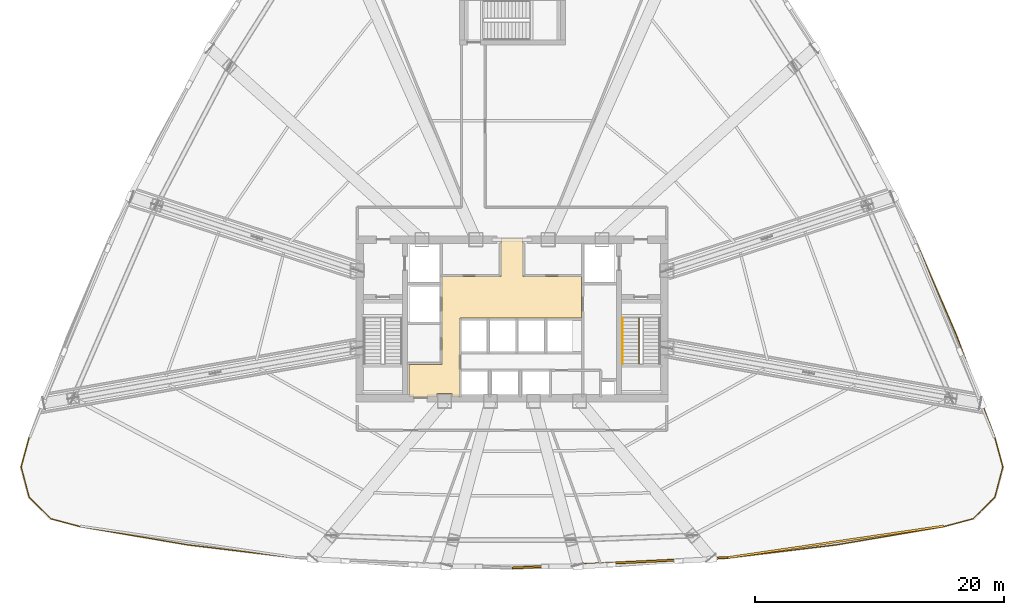
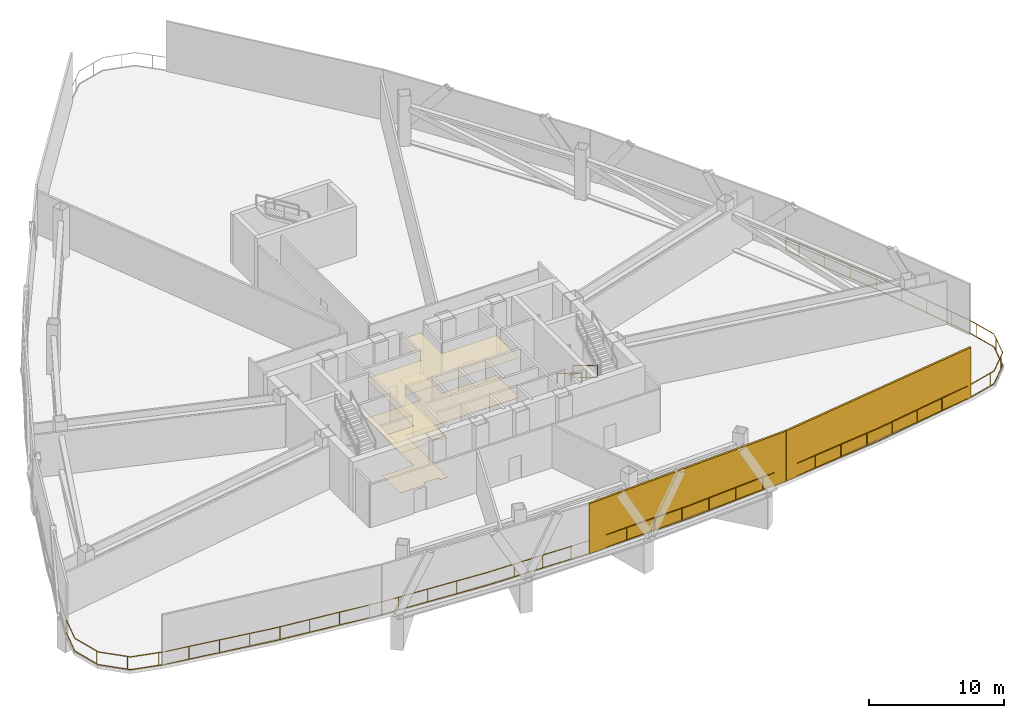
# One storey, part 13 of 17: 3 railings, 2 coverings, 2 shading devices.
"""IFC4 building model written with IfcOpenShell, lengths in metres."""

from ifc_helpers import new_model, si_unit, direction, frame, origin, origin_2d, place, context, subcontext, project, spatial, polyline, rectangle, outline, extrude, source, transform, mapped, material, layer, layer_set, type_object, element, save


model = new_model("IFC4")

# Units and contexts
model_context = context("Model", 3, precision=1e-05, world=origin(), true_north=direction((0.0, 1.0)))
body_context = subcontext(model_context, "Body", "Model", "MODEL_VIEW")
ifc_project = project(units=[si_unit("LENGTHUNIT", "METRE"), si_unit("AREAUNIT", "SQUARE_METRE"), si_unit("VOLUMEUNIT", "CUBIC_METRE"), si_unit("PLANEANGLEUNIT", "RADIAN"), si_unit("MASSUNIT", "GRAM", prefix="KILO"), si_unit("THERMODYNAMICTEMPERATUREUNIT", "KELVIN"), si_unit("POWERUNIT", "WATT")], contexts=[model_context])

# Site, building, storey
site_placement = place(None, origin())
site = spatial("IfcSite", under=ifc_project, at=site_placement, CompositionType="ELEMENT")
building_placement = place(site_placement, origin())
building = spatial("IfcBuilding", under=site, at=building_placement, Name="Yunzhuo Pagoda Commons", CompositionType="ELEMENT")
storey_placement = place(building_placement, frame((0.0, 0.0, 176.159912109375)))
storey = spatial("IfcBuildingStorey", under=building, at=storey_placement, Name="L44", CompositionType="ELEMENT", Elevation=176.159912109375)

# Coverings
ifc_material_1 = material(Name="Perforated gypsum acoustic ceiling tile")
ifc_layer_1 = layer(ifc_material_1, 0.030029296875)
ifc_layer_set_1 = layer_set([ifc_layer_1], Name="Perforated gypsum acoustic ceiling tile")
covering_type_1 = type_object("IfcCoveringType", Name="COV-CL2 Ceiling 30", PredefinedType="CEILING", material=ifc_layer_set_1)
covering_1_placement = place(storey_placement, frame((0.0, 0.0, 3.590087890625)))
element("IfcCovering", 1, at=covering_1_placement, inside=storey, type_object=covering_type_1, Name="L44 lift lobby acoustic ceiling", PredefinedType="CEILING", context=body_context, shape_type="SweptSolid", body=[
    extrude(outline(polyline([(39.75, 30.199951171875), (42.39990234375, 30.199951171875), (42.39990234375, 33.89990234375), (42.39990234375, 37.25), (47.10009765625, 37.25), (47.10009765625, 40.35009765625), (48.89990234375, 40.35009765625), (48.89990234375, 37.25), (53.580078125, 37.25), (53.580078125, 33.89990234375), (43.820068359375, 33.89990234375), (43.820068359375, 30.199951171875), (43.820068359375, 27.60009765625), (43.207763671875, 27.60009765625), (43.207763671875, 27.85009765625), (43.201904296875, 27.864013671875), (43.187744140625, 27.8701171875), (41.98779296875, 27.8701171875), (41.9736328125, 27.864013671875), (41.9677734375, 27.85009765625), (41.9677734375, 27.60009765625), (39.75, 27.60009765625), (39.75, 30.199951171875)])), origin(), (0.0, 0.0, 1.0), 0.030029296875),
])
ifc_material_2 = material(Name="Porcelain ceramic floor tile")
ifc_layer_2 = layer(ifc_material_2, 0.02001953125)
ifc_layer_set_2 = layer_set([ifc_layer_2], Name="Porcelain ceramic floor tile")
covering_type_2 = type_object("IfcCoveringType", Name="COV-FL1 Flooring 20", PredefinedType="FLOORING", material=ifc_layer_set_2)
covering_2_placement = place(storey_placement, origin())
element("IfcCovering", 2, at=covering_2_placement, inside=storey, type_object=covering_type_2, Name="L44 lift lobby flooring", PredefinedType="FLOORING", context=body_context, shape_type="SweptSolid", body=[
    extrude(outline(polyline([(39.75, 30.199951171875), (42.39990234375, 30.199951171875), (42.39990234375, 33.89990234375), (42.39990234375, 37.25), (47.10009765625, 37.25), (47.10009765625, 40.35009765625), (48.89990234375, 40.35009765625), (48.89990234375, 37.25), (53.580078125, 37.25), (53.580078125, 33.89990234375), (43.820068359375, 33.89990234375), (43.820068359375, 30.199951171875), (43.820068359375, 27.60009765625), (43.207763671875, 27.60009765625), (43.207763671875, 27.85009765625), (43.201904296875, 27.864013671875), (43.187744140625, 27.8701171875), (41.98779296875, 27.8701171875), (41.9736328125, 27.864013671875), (41.9677734375, 27.85009765625), (41.9677734375, 27.60009765625), (39.75, 27.60009765625), (39.75, 30.199951171875)])), origin(), (0.0, 0.0, 1.0), 0.02001953125),
])

# Railings
ifc_material_3 = material(Name="Anodized aluminium 6063-T6", Category="aluminium")
railing_type_1 = type_object("IfcRailingType", Name="GR-ST2 Stair Well Guardrail 1160", PredefinedType="GUARDRAIL", material=ifc_material_3)
railing_1_placement = place(storey_placement, frame((58.199951171875, 33.89990234375, 0.171630859375)))
element("IfcRailing", 3, at=railing_1_placement, inside=storey, type_object=railing_type_1, Name="L44 ST2 stair guard 1", PredefinedType="GUARDRAIL", context=body_context, shape_type="SweptSolid", body=[
    extrude(rectangle(XDim=0.048095703125, YDim=0.048095703125, at=origin_2d()), frame((0.0, 0.0, 1.1259765625), z_axis=(0.0, -0.852850264322, 0.5221555579), x_axis=(1.0, 0.0, 0.0)), (0.0, 0.0, 1.0), 4.267822265625),
    extrude(rectangle(XDim=0.048095703125, YDim=0.048095703125, at=origin_2d()), frame((0.0, 0.0, 0.02392578125), z_axis=(0.0, -0.852850264322, 0.5221555579), x_axis=(1.0, 0.0, 0.0)), (0.0, 0.0, 1.0), 4.267822265625),
    extrude(rectangle(XDim=0.0419921875, YDim=0.0419921875, at=origin_2d()), origin(), (0.0, 0.0, 1.0), 1.101806640625),
    extrude(rectangle(XDim=0.0419921875, YDim=0.0419921875, at=origin_2d()), frame((0.0, -2.046875, 1.253173828125)), (0.0, 0.0, 1.0), 1.101806640625),
    extrude(rectangle(XDim=0.0419921875, YDim=0.0419921875, at=origin_2d()), frame((0.0, -3.639892578125, 2.228515625)), (0.0, 0.0, 1.0), 1.101806640625),
])
railing_type_2 = type_object("IfcRailingType", Name="HR-ST2 Stair Handrail 900", PredefinedType="HANDRAIL", material=ifc_material_3)
railing_2_placement = place(storey_placement, frame((56.85009765625, 33.89990234375, 0.171630859375)))
element("IfcRailing", 4, at=railing_2_placement, inside=storey, type_object=railing_type_2, Name="L44 ST2 stair handrail 1", PredefinedType="HANDRAIL", context=body_context, shape_type="SweptSolid", body=[
    extrude(rectangle(XDim=0.048095703125, YDim=0.048095703125, at=origin_2d()), frame((0.0, 0.0, 0.8759765625), z_axis=(0.0, -0.852850264322, 0.5221555579), x_axis=(1.0, 0.0, 0.0)), (0.0, 0.0, 1.0), 4.267822265625),
    extrude(rectangle(XDim=0.0419921875, YDim=0.0419921875, at=origin_2d()), origin(), (0.0, 0.0, 1.0), 0.851806640625),
    extrude(rectangle(XDim=0.0419921875, YDim=0.0419921875, at=origin_2d()), frame((0.0, -2.046875, 1.253173828125)), (0.0, 0.0, 1.0), 0.851806640625),
    extrude(rectangle(XDim=0.0419921875, YDim=0.0419921875, at=origin_2d()), frame((0.0, -3.639892578125, 2.228515625)), (0.0, 0.0, 1.0), 0.851806640625),
])
railing_type_3 = type_object("IfcRailingType", Name="RL-PRT1 Wind Portal & Refuge Guardrail 1200", PredefinedType="GUARDRAIL", material=ifc_material_3)
railing_3_placement = place(storey_placement, frame((9.28662109375, 24.3701171875, 0.0)))
element("IfcRailing", 5, at=railing_3_placement, inside=storey, type_object=railing_type_3, Name="L44 refuge perimeter guardrail A", PredefinedType="GUARDRAIL", context=body_context, shape_type="SweptSolid", body=[
    extrude(rectangle(XDim=0.048095703125, YDim=0.048095703125, at=origin_2d()), frame((0.0, 0.0, 1.17578125), z_axis=(-0.263915754409, -0.964545734828, 0.0), x_axis=(0.964545734828, -0.263915754409, 0.0)), (0.0, 0.0, 1.0), 2.48388671875),
    extrude(rectangle(XDim=0.048095703125, YDim=0.048095703125, at=origin_2d()), frame((0.0, 0.0, 0.02392578125), z_axis=(-0.263915754409, -0.964545734828, 0.0), x_axis=(0.964545734828, -0.263915754409, 0.0)), (0.0, 0.0, 1.0), 2.48388671875),
    extrude(rectangle(XDim=0.048095703125, YDim=0.048095703125, at=origin_2d()), frame((-0.655517578125, -2.395751953125, 1.17578125), z_axis=(0.255359894148, -0.966846070717, 0.0), x_axis=(0.966846070717, 0.255359894148, 0.0)), (0.0, 0.0, 1.0), 2.48193359375),
    extrude(rectangle(XDim=0.048095703125, YDim=0.048095703125, at=origin_2d()), frame((-0.655517578125, -2.395751953125, 0.02392578125), z_axis=(0.255359894148, -0.966846070717, 0.0), x_axis=(0.966846070717, 0.255359894148, 0.0)), (0.0, 0.0, 1.0), 2.48193359375),
    extrude(rectangle(XDim=0.048095703125, YDim=0.048095703125, at=origin_2d()), frame((-0.021728515625, -4.79541015625, 1.17578125), z_axis=(0.706220868533, -0.707991585295, 0.0), x_axis=(0.707991585295, 0.706220868533, 0.0)), (0.0, 0.0, 1.0), 2.481689453125),
    extrude(rectangle(XDim=0.048095703125, YDim=0.048095703125, at=origin_2d()), frame((-0.021728515625, -4.79541015625, 0.02392578125), z_axis=(0.706220868533, -0.707991585295, 0.0), x_axis=(0.707991585295, 0.706220868533, 0.0)), (0.0, 0.0, 1.0), 2.481689453125),
    extrude(rectangle(XDim=0.048095703125, YDim=0.048095703125, at=origin_2d()), frame((1.73095703125, -6.552490234375, 1.17578125), z_axis=(0.966065072538, -0.258298810726, 0.0), x_axis=(0.258298810726, 0.966065072538, 0.0)), (0.0, 0.0, 1.0), 2.48388671875),
    extrude(rectangle(XDim=0.048095703125, YDim=0.048095703125, at=origin_2d()), frame((1.73095703125, -6.552490234375, 0.02392578125), z_axis=(0.966065072538, -0.258298810726, 0.0), x_axis=(0.258298810726, 0.966065072538, 0.0)), (0.0, 0.0, 1.0), 2.48388671875),
    extrude(rectangle(XDim=0.048095703125, YDim=0.048095703125, at=origin_2d()), frame((4.130615234375, -7.194091796875, 1.17578125), z_axis=(0.986010928272, -0.166680680727, 0.0), x_axis=(0.166680680727, 0.986010928272, 0.0)), (0.0, 0.0, 1.0), 8.778076171875),
    extrude(rectangle(XDim=0.048095703125, YDim=0.048095703125, at=origin_2d()), frame((4.130615234375, -7.194091796875, 0.02392578125), z_axis=(0.986010928272, -0.166680680727, 0.0), x_axis=(0.166680680727, 0.986010928272, 0.0)), (0.0, 0.0, 1.0), 8.778076171875),
    extrude(rectangle(XDim=0.048095703125, YDim=0.048095703125, at=origin_2d()), frame((12.785888671875, -8.6572265625, 1.17578125), z_axis=(0.992841121805, -0.119442483449, 0.0), x_axis=(0.119442483449, 0.992841121805, 0.0)), (0.0, 0.0, 1.0), 8.71142578125),
    extrude(rectangle(XDim=0.048095703125, YDim=0.048095703125, at=origin_2d()), frame((12.785888671875, -8.6572265625, 0.02392578125), z_axis=(0.992841121805, -0.119442483449, 0.0), x_axis=(0.119442483449, 0.992841121805, 0.0)), (0.0, 0.0, 1.0), 8.71142578125),
    extrude(rectangle(XDim=0.048095703125, YDim=0.048095703125, at=origin_2d()), frame((21.43505859375, -9.69775390625, 1.17578125), z_axis=(0.997423392208, -0.071739645081, 0.0), x_axis=(0.071739645081, 0.997423392208, 0.0)), (0.0, 0.0, 1.0), 8.664306640625),
    extrude(rectangle(XDim=0.048095703125, YDim=0.048095703125, at=origin_2d()), frame((21.43505859375, -9.69775390625, 0.02392578125), z_axis=(0.997423392208, -0.071739645081, 0.0), x_axis=(0.071739645081, 0.997423392208, 0.0)), (0.0, 0.0, 1.0), 8.664306640625),
    extrude(rectangle(XDim=0.048095703125, YDim=0.048095703125, at=origin_2d()), frame((30.0771484375, -10.3193359375, 1.17578125), z_axis=(0.999714813301, -0.023880788637, 0.0), x_axis=(0.023880788637, 0.999714813301, 0.0)), (0.0, 0.0, 1.0), 8.638671875),
    extrude(rectangle(XDim=0.048095703125, YDim=0.048095703125, at=origin_2d()), frame((30.0771484375, -10.3193359375, 0.02392578125), z_axis=(0.999714813301, -0.023880788637, 0.0), x_axis=(0.023880788637, 0.999714813301, 0.0)), (0.0, 0.0, 1.0), 8.638671875),
    extrude(rectangle(XDim=0.048095703125, YDim=0.048095703125, at=origin_2d()), frame((38.71337890625, -10.525634765625, 1.17578125), z_axis=(0.999714813301, 0.023880788637, 0.0), x_axis=(-0.023880788637, 0.999714813301, 0.0)), (0.0, 0.0, 1.0), 8.638671875),
    extrude(rectangle(XDim=0.048095703125, YDim=0.048095703125, at=origin_2d()), frame((38.71337890625, -10.525634765625, 0.02392578125), z_axis=(0.999714813301, 0.023880788637, 0.0), x_axis=(-0.023880788637, 0.999714813301, 0.0)), (0.0, 0.0, 1.0), 8.638671875),
    extrude(rectangle(XDim=0.048095703125, YDim=0.048095703125, at=origin_2d()), frame((47.349609375, -10.3193359375, 1.17578125), z_axis=(0.997423392208, 0.071739645081, 0.0), x_axis=(-0.071739645081, 0.997423392208, 0.0)), (0.0, 0.0, 1.0), 8.664306640625),
    extrude(rectangle(XDim=0.048095703125, YDim=0.048095703125, at=origin_2d()), frame((47.349609375, -10.3193359375, 0.02392578125), z_axis=(0.997423392208, 0.071739645081, 0.0), x_axis=(-0.071739645081, 0.997423392208, 0.0)), (0.0, 0.0, 1.0), 8.664306640625),
    extrude(rectangle(XDim=0.048095703125, YDim=0.048095703125, at=origin_2d()), frame((55.99169921875, -9.69775390625, 1.17578125), z_axis=(0.992841121805, 0.119442483449, 0.0), x_axis=(-0.119442483449, 0.992841121805, 0.0)), (0.0, 0.0, 1.0), 8.71142578125),
    extrude(rectangle(XDim=0.048095703125, YDim=0.048095703125, at=origin_2d()), frame((55.99169921875, -9.69775390625, 0.02392578125), z_axis=(0.992841121805, 0.119442483449, 0.0), x_axis=(-0.119442483449, 0.992841121805, 0.0)), (0.0, 0.0, 1.0), 8.71142578125),
    extrude(rectangle(XDim=0.048095703125, YDim=0.048095703125, at=origin_2d()), frame((64.640869140625, -8.6572265625, 1.17578125), z_axis=(0.986010928272, 0.166680680727, 0.0), x_axis=(-0.166680680727, 0.986010928272, 0.0)), (0.0, 0.0, 1.0), 8.778076171875),
    extrude(rectangle(XDim=0.048095703125, YDim=0.048095703125, at=origin_2d()), frame((64.640869140625, -8.6572265625, 0.02392578125), z_axis=(0.986010928272, 0.166680680727, 0.0), x_axis=(-0.166680680727, 0.986010928272, 0.0)), (0.0, 0.0, 1.0), 8.778076171875),
    extrude(rectangle(XDim=0.048095703125, YDim=0.048095703125, at=origin_2d()), frame((73.296142578125, -7.194091796875, 1.17578125), z_axis=(0.966065072538, 0.258298810726, 0.0), x_axis=(-0.258298810726, 0.966065072538, 0.0)), (0.0, 0.0, 1.0), 2.48388671875),
    extrude(rectangle(XDim=0.048095703125, YDim=0.048095703125, at=origin_2d()), frame((73.296142578125, -7.194091796875, 0.02392578125), z_axis=(0.966065072538, 0.258298810726, 0.0), x_axis=(-0.258298810726, 0.966065072538, 0.0)), (0.0, 0.0, 1.0), 2.48388671875),
    extrude(rectangle(XDim=0.048095703125, YDim=0.048095703125, at=origin_2d()), frame((75.69580078125, -6.552490234375, 1.17578125), z_axis=(0.706220868533, 0.707991585295, 0.0), x_axis=(-0.707991585295, 0.706220868533, 0.0)), (0.0, 0.0, 1.0), 2.481689453125),
    extrude(rectangle(XDim=0.048095703125, YDim=0.048095703125, at=origin_2d()), frame((75.69580078125, -6.552490234375, 0.02392578125), z_axis=(0.706220868533, 0.707991585295, 0.0), x_axis=(-0.707991585295, 0.706220868533, 0.0)), (0.0, 0.0, 1.0), 2.481689453125),
    extrude(rectangle(XDim=0.048095703125, YDim=0.048095703125, at=origin_2d()), frame((77.448486328125, -4.79541015625, 1.17578125), z_axis=(0.255359894148, 0.966846070717, 0.0), x_axis=(-0.966846070717, 0.255359894148, 0.0)), (0.0, 0.0, 1.0), 2.48193359375),
    extrude(rectangle(XDim=0.048095703125, YDim=0.048095703125, at=origin_2d()), frame((77.448486328125, -4.79541015625, 0.02392578125), z_axis=(0.255359894148, 0.966846070717, 0.0), x_axis=(-0.966846070717, 0.255359894148, 0.0)), (0.0, 0.0, 1.0), 2.48193359375),
    extrude(rectangle(XDim=0.048095703125, YDim=0.048095703125, at=origin_2d()), frame((78.082275390625, -2.395751953125, 1.17578125), z_axis=(-0.263915754409, 0.964545734828, 0.0), x_axis=(-0.964545734828, -0.263915754409, 0.0)), (0.0, 0.0, 1.0), 2.48388671875),
    extrude(rectangle(XDim=0.048095703125, YDim=0.048095703125, at=origin_2d()), frame((78.082275390625, -2.395751953125, 0.02392578125), z_axis=(-0.263915754409, 0.964545734828, 0.0), x_axis=(-0.964545734828, -0.263915754409, 0.0)), (0.0, 0.0, 1.0), 2.48388671875),
    extrude(rectangle(XDim=0.048095703125, YDim=0.048095703125, at=origin_2d()), frame((77.4267578125, 0.0, 1.17578125), z_axis=(-0.351857658601, 0.936053517746, 0.0), x_axis=(-0.936053517746, -0.351857658601, 0.0)), (0.0, 0.0, 1.0), 8.7080078125),
    extrude(rectangle(XDim=0.048095703125, YDim=0.048095703125, at=origin_2d()), frame((77.4267578125, 0.0, 0.02392578125), z_axis=(-0.351857658601, 0.936053517746, 0.0), x_axis=(-0.936053517746, -0.351857658601, 0.0)), (0.0, 0.0, 1.0), 8.7080078125),
    extrude(rectangle(XDim=0.048095703125, YDim=0.048095703125, at=origin_2d()), frame((74.36279296875, 8.151123046875, 1.17578125), z_axis=(-0.396413827287, 0.918071934837, 0.0), x_axis=(-0.918071934837, -0.396413827287, 0.0)), (0.0, 0.0, 1.0), 8.641357421875),
    extrude(rectangle(XDim=0.048095703125, YDim=0.048095703125, at=origin_2d()), frame((74.36279296875, 8.151123046875, 0.02392578125), z_axis=(-0.396413827287, 0.918071934837, 0.0), x_axis=(-0.918071934837, -0.396413827287, 0.0)), (0.0, 0.0, 1.0), 8.641357421875),
    extrude(rectangle(XDim=0.0419921875, YDim=0.0419921875, at=origin_2d()), origin(), (0.0, 0.0, 1.0), 1.15185546875),
    extrude(rectangle(XDim=0.0419921875, YDim=0.0419921875, at=origin_2d()), frame((-0.06396484375, -4.63525390625, 0.0)), (0.0, 0.0, 1.0), 1.15185546875),
    extrude(rectangle(XDim=0.0419921875, YDim=0.0419921875, at=origin_2d()), frame((1.55615234375, -6.377197265625, 0.0)), (0.0, 0.0, 1.0), 1.15185546875),
    extrude(rectangle(XDim=0.0419921875, YDim=0.0419921875, at=origin_2d()), frame((3.810302734375, -7.1083984375, 0.0)), (0.0, 0.0, 1.0), 1.15185546875),
    extrude(rectangle(XDim=0.0419921875, YDim=0.0419921875, at=origin_2d()), frame((6.170166015625, -7.538818359375, 0.0)), (0.0, 0.0, 1.0), 1.15185546875),
    extrude(rectangle(XDim=0.0419921875, YDim=0.0419921875, at=origin_2d()), frame((8.53662109375, -7.93896484375, 0.0)), (0.0, 0.0, 1.0), 1.15185546875),
    extrude(rectangle(XDim=0.0419921875, YDim=0.0419921875, at=origin_2d()), frame((10.903076171875, -8.3388671875, 0.0)), (0.0, 0.0, 1.0), 1.15185546875),
    extrude(rectangle(XDim=0.0419921875, YDim=0.0419921875, at=origin_2d()), frame((13.272705078125, -8.7158203125, 0.0)), (0.0, 0.0, 1.0), 1.15185546875),
    extrude(rectangle(XDim=0.0419921875, YDim=0.0419921875, at=origin_2d()), frame((15.655517578125, -9.00244140625, 0.0)), (0.0, 0.0, 1.0), 1.15185546875),
    extrude(rectangle(XDim=0.0419921875, YDim=0.0419921875, at=origin_2d()), frame((18.03857421875, -9.2890625, 0.0)), (0.0, 0.0, 1.0), 1.15185546875),
    extrude(rectangle(XDim=0.0419921875, YDim=0.0419921875, at=origin_2d()), frame((20.42138671875, -9.57568359375, 0.0)), (0.0, 0.0, 1.0), 1.15185546875),
    extrude(rectangle(XDim=0.0419921875, YDim=0.0419921875, at=origin_2d()), frame((22.810302734375, -9.796630859375, 0.0)), (0.0, 0.0, 1.0), 1.15185546875),
    extrude(rectangle(XDim=0.0419921875, YDim=0.0419921875, at=origin_2d()), frame((25.204345703125, -9.96875, 0.0)), (0.0, 0.0, 1.0), 1.15185546875),
    extrude(rectangle(XDim=0.0419921875, YDim=0.0419921875, at=origin_2d()), frame((27.59814453125, -10.14111328125, 0.0)), (0.0, 0.0, 1.0), 1.15185546875),
    extrude(rectangle(XDim=0.0419921875, YDim=0.0419921875, at=origin_2d()), frame((32.390869140625, -10.37451171875, 0.0)), (0.0, 0.0, 1.0), 1.15185546875),
    extrude(rectangle(XDim=0.0419921875, YDim=0.0419921875, at=origin_2d()), frame((34.790283203125, -10.431884765625, 0.0)), (0.0, 0.0, 1.0), 1.15185546875),
    extrude(rectangle(XDim=0.0419921875, YDim=0.0419921875, at=origin_2d()), frame((37.189697265625, -10.4892578125, 0.0)), (0.0, 0.0, 1.0), 1.15185546875),
    extrude(rectangle(XDim=0.0419921875, YDim=0.0419921875, at=origin_2d()), frame((39.5888671875, -10.504638671875, 0.0)), (0.0, 0.0, 1.0), 1.15185546875),
    extrude(rectangle(XDim=0.0419921875, YDim=0.0419921875, at=origin_2d()), frame((41.98828125, -10.447509765625, 0.0)), (0.0, 0.0, 1.0), 1.15185546875),
    extrude(rectangle(XDim=0.0419921875, YDim=0.0419921875, at=origin_2d()), frame((44.387451171875, -10.39013671875, 0.0)), (0.0, 0.0, 1.0), 1.15185546875),
    extrude(rectangle(XDim=0.0419921875, YDim=0.0419921875, at=origin_2d()), frame((46.786865234375, -10.332763671875, 0.0)), (0.0, 0.0, 1.0), 1.15185546875),
    extrude(rectangle(XDim=0.0419921875, YDim=0.0419921875, at=origin_2d()), frame((49.181884765625, -10.1875, 0.0)), (0.0, 0.0, 1.0), 1.15185546875),
    extrude(rectangle(XDim=0.0419921875, YDim=0.0419921875, at=origin_2d()), frame((51.57568359375, -10.015380859375, 0.0)), (0.0, 0.0, 1.0), 1.15185546875),
    extrude(rectangle(XDim=0.0419921875, YDim=0.0419921875, at=origin_2d()), frame((53.9697265625, -9.84326171875, 0.0)), (0.0, 0.0, 1.0), 1.15185546875),
    extrude(rectangle(XDim=0.0419921875, YDim=0.0419921875, at=origin_2d()), frame((56.36181640625, -9.6533203125, 0.0)), (0.0, 0.0, 1.0), 1.15185546875),
    extrude(rectangle(XDim=0.0419921875, YDim=0.0419921875, at=origin_2d()), frame((58.74462890625, -9.36669921875, 0.0)), (0.0, 0.0, 1.0), 1.15185546875),
    extrude(rectangle(XDim=0.0419921875, YDim=0.0419921875, at=origin_2d()), frame((61.12744140625, -9.079833984375, 0.0)), (0.0, 0.0, 1.0), 1.15185546875),
    extrude(rectangle(XDim=0.0419921875, YDim=0.0419921875, at=origin_2d()), frame((63.51025390625, -8.793212890625, 0.0)), (0.0, 0.0, 1.0), 1.15185546875),
    extrude(rectangle(XDim=0.0419921875, YDim=0.0419921875, at=origin_2d()), frame((65.88427734375, -8.447021484375, 0.0)), (0.0, 0.0, 1.0), 1.15185546875),
    extrude(rectangle(XDim=0.0419921875, YDim=0.0419921875, at=origin_2d()), frame((68.250732421875, -8.046875, 0.0)), (0.0, 0.0, 1.0), 1.15185546875),
    extrude(rectangle(XDim=0.0419921875, YDim=0.0419921875, at=origin_2d()), frame((70.6171875, -7.64697265625, 0.0)), (0.0, 0.0, 1.0), 1.15185546875),
    extrude(rectangle(XDim=0.0419921875, YDim=0.0419921875, at=origin_2d()), frame((72.983642578125, -7.246826171875, 0.0)), (0.0, 0.0, 1.0), 1.15185546875),
    extrude(rectangle(XDim=0.0419921875, YDim=0.0419921875, at=origin_2d()), frame((75.30859375, -6.656005859375, 0.0)), (0.0, 0.0, 1.0), 1.15185546875),
    extrude(rectangle(XDim=0.0419921875, YDim=0.0419921875, at=origin_2d()), frame((77.107666015625, -5.13720703125, 0.0)), (0.0, 0.0, 1.0), 1.15185546875),
    extrude(rectangle(XDim=0.0419921875, YDim=0.0419921875, at=origin_2d()), frame((77.93798828125, -2.941650390625, 0.0)), (0.0, 0.0, 1.0), 1.15185546875),
    extrude(rectangle(XDim=0.0419921875, YDim=0.0419921875, at=origin_2d()), frame((77.597900390625, -0.62548828125, 0.0)), (0.0, 0.0, 1.0), 1.15185546875),
    extrude(rectangle(XDim=0.0419921875, YDim=0.0419921875, at=origin_2d()), frame((76.810546875, 1.6396484375, 0.0)), (0.0, 0.0, 1.0), 1.15185546875),
    extrude(rectangle(XDim=0.0419921875, YDim=0.0419921875, at=origin_2d()), frame((75.966064453125, 3.88623046875, 0.0)), (0.0, 0.0, 1.0), 1.15185546875),
    extrude(rectangle(XDim=0.0419921875, YDim=0.0419921875, at=origin_2d()), frame((75.12158203125, 6.132568359375, 0.0)), (0.0, 0.0, 1.0), 1.15185546875),
    extrude(rectangle(XDim=0.0419921875, YDim=0.0419921875, at=origin_2d()), frame((74.26611328125, 8.374755859375, 0.0)), (0.0, 0.0, 1.0), 1.15185546875),
    extrude(rectangle(XDim=0.0419921875, YDim=0.0419921875, at=origin_2d()), frame((73.31494140625, 10.578125, 0.0)), (0.0, 0.0, 1.0), 1.15185546875),
    extrude(rectangle(XDim=0.0419921875, YDim=0.0419921875, at=origin_2d()), frame((72.363525390625, 12.781494140625, 0.0)), (0.0, 0.0, 1.0), 1.15185546875),
    extrude(rectangle(XDim=0.0419921875, YDim=0.0419921875, at=origin_2d()), frame((71.412109375, 14.98486328125, 0.0)), (0.0, 0.0, 1.0), 1.15185546875),
    extrude(rectangle(XDim=0.0419921875, YDim=0.0419921875, at=origin_2d()), frame((70.937255859375, 16.08447265625, 0.0)), (0.0, 0.0, 1.0), 1.15185546875),
])

# Shading devices
ifc_layer_3 = layer(ifc_material_3, 0.159912109375)
ifc_layer_set_3 = layer_set([ifc_layer_3], Name="Anodized aluminium 6063-T6")
shading_device_type = type_object("IfcShadingDeviceType", Name="SH-SCR1 Stormproof Refuge Louvre Screen", PredefinedType="JALOUSIE", material=ifc_layer_set_3)
shared_shape_1 = source(origin(), body_context, "Body", "SweptSolid", [
    extrude(rectangle(XDim=17.475830078125, YDim=0.159912109375, at=origin_2d()), origin(), (0.0, 0.0, 1.0), 4.5400390625),
])
shading_device_1_placement = place(storey_placement, frame((73.98095703125, 15.9716796875, 0.0), z_axis=(0.0, 0.0, 1.0), x_axis=(0.989510666697, 0.144459823108, 0.0)))
element("IfcShadingDevice", 6, at=shading_device_1_placement, inside=storey, type_object=shading_device_type, Name="L44 stormproof refuge louvre screen F1.4", PredefinedType="JALOUSIE", context=body_context, shape_type="MappedRepresentation", body=[
    mapped(shared_shape_1, transform((0.0, 0.0, 0.0), scale=1.0)),
])
shared_shape_2 = source(origin(), body_context, "Body", "SweptSolid", [
    extrude(rectangle(XDim=17.3125, YDim=0.159912109375, at=origin_2d()), origin(), (0.0, 0.0, 1.0), 4.5400390625),
])
shading_device_2_placement = place(storey_placement, frame((56.66015625, 14.2861328125, 0.0), z_axis=(0.0, 0.0, 1.0), x_axis=(0.998818043775, 0.04860571396, 0.0)))
element("IfcShadingDevice", 7, at=shading_device_2_placement, inside=storey, type_object=shading_device_type, Name="L44 stormproof refuge louvre screen F1.3", PredefinedType="JALOUSIE", context=body_context, shape_type="MappedRepresentation", body=[
    mapped(shared_shape_2, transform((0.0, 0.0, 0.0), scale=1.0)),
])

save(model, "model.ifc")
